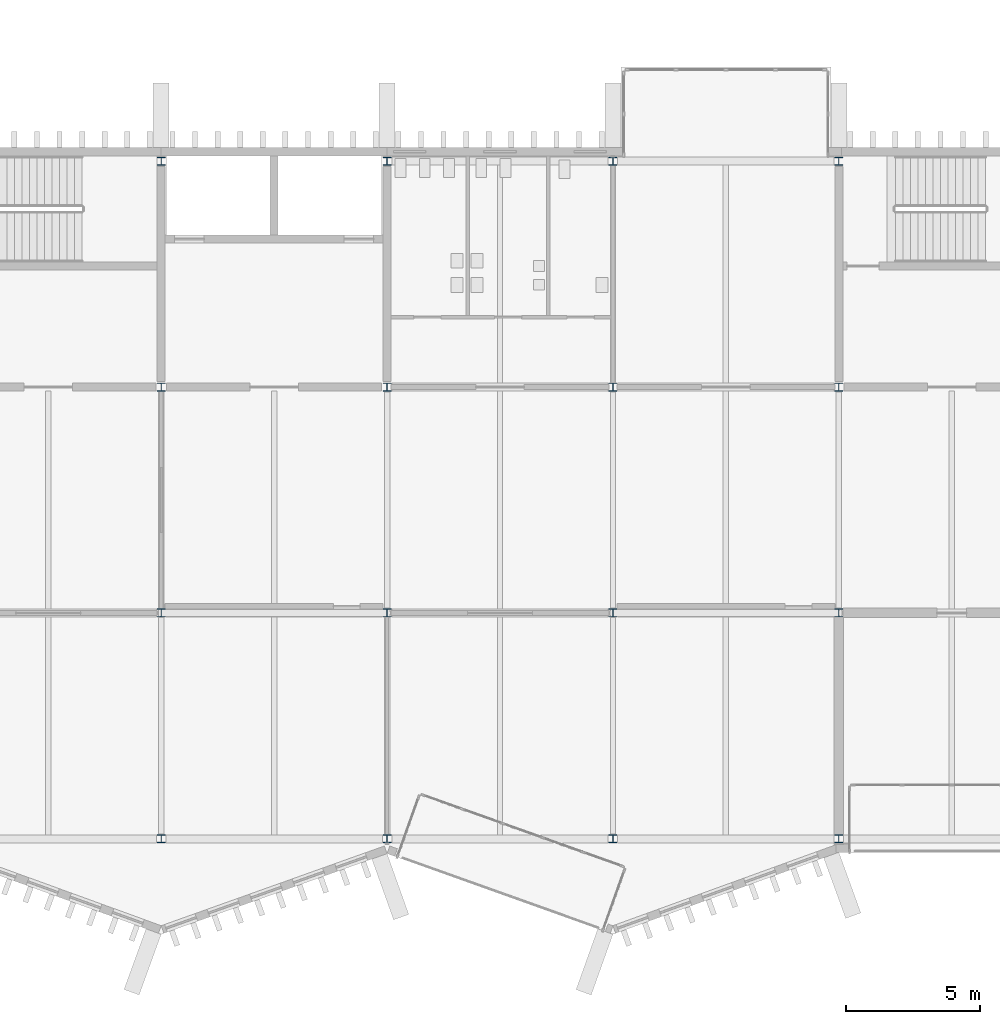
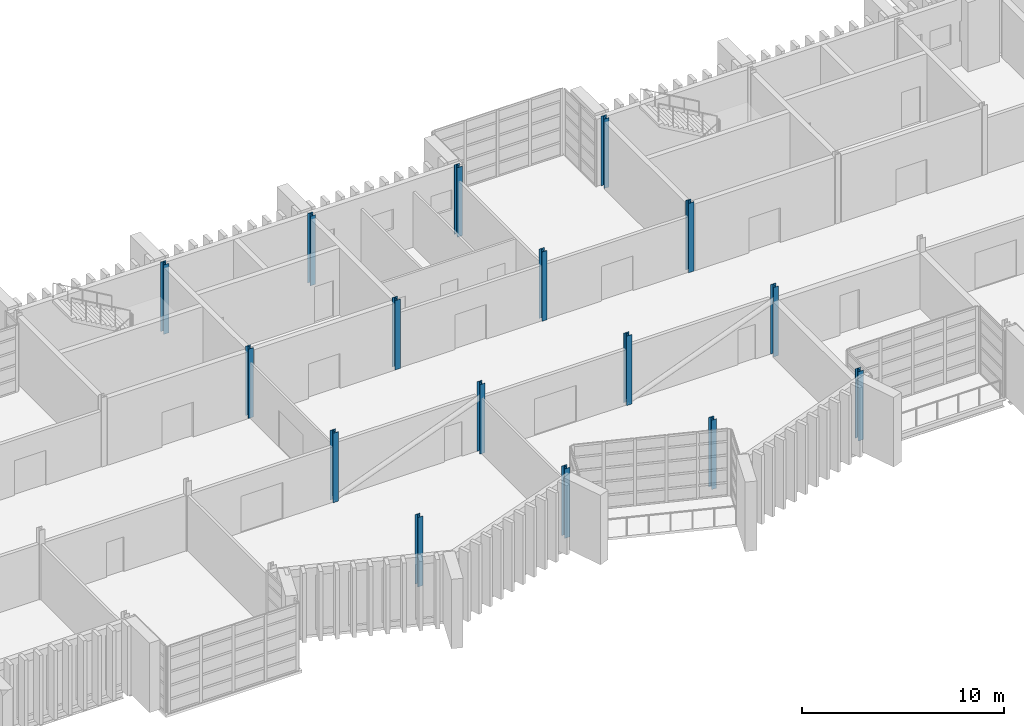
# One storey, part 5 of 100: 16 columns.
"""IFC4 building model written with IfcOpenShell, lengths in metres."""

from ifc_helpers import new_model, si_unit, direction, frame, origin, origin_2d, place, context, subcontext, project, spatial, i_section, extrude, material, material_profile, profile_set, type_object, element, save


model = new_model("IFC4")

# Units and contexts
model_context = context("Model", 3, precision=1e-05, world=origin(), true_north=direction((0.0, 1.0)))
body_context = subcontext(model_context, "Body", "Model", "MODEL_VIEW")
ifc_project = project(units=[si_unit("LENGTHUNIT", "METRE"), si_unit("AREAUNIT", "SQUARE_METRE"), si_unit("VOLUMEUNIT", "CUBIC_METRE"), si_unit("PLANEANGLEUNIT", "RADIAN"), si_unit("MASSUNIT", "GRAM", prefix="KILO")], contexts=[model_context])

# Site, building, storey
site_placement = place(None, origin())
site = spatial("IfcSite", under=ifc_project, at=site_placement, CompositionType="ELEMENT")
building_placement = place(site_placement, origin())
building = spatial("IfcBuilding", under=site, at=building_placement, Name="Cresset Court Congress Hotel", CompositionType="ELEMENT")
storey_placement = place(building_placement, frame((0.0, 0.0, 10.199951171875)))
storey = spatial("IfcBuildingStorey", under=building, at=storey_placement, Name="L02", CompositionType="ELEMENT", Elevation=10.199951171875)

# Columns
ifc_material = material(Name="Structural steel Q355B", Category="steel")
ifc_material_profile = material_profile(ifc_material, i_section(OverallWidth=0.300048828125, OverallDepth=0.300048828125, WebThickness=0.010009765625, FlangeThickness=0.014892578125, FilletRadius=0.012939453125, at=origin_2d()), Name="HW300x300x10x15")
ifc_profile_set = profile_set([ifc_material_profile], Name="Structural steel Q355B")
column_type = type_object("IfcColumnType", Name="Steel column HW300x300x10x15", PredefinedType="COLUMN", material=ifc_profile_set)
for number, where, z_axis, x_axis, name in (
    (1, (109.199951171875, 0.0, 0.0), (0.0, 0.0, 1.0), (1.0, 0.0, 0.0), "B.col.L02.14A"),
    (2, (109.199951171875, 8.39990234375, 0.0), (0.0, 0.0, 1.0), (1.0, 0.0, 0.0), "B.col.L02.14B"),
    (3, (109.199951171875, 16.800048828125, 0.0), (0.0, 0.0, 1.0), (1.0, 0.0, 0.0), "B.col.L02.14C"),
    (4, (109.199951171875, 25.199951171875, 0.0), (0.0, 0.0, 1.0), (1.0, 0.0, 0.0), "B.col.L02.14D"),
    (5, (117.60009765625, 0.0, 0.0), (0.0, 0.0, 1.0), (1.0, 0.0, 0.0), "B.col.L02.15A"),
    (6, (117.60009765625, 8.39990234375, 0.0), (0.0, 0.0, 1.0), (1.0, 0.0, 0.0), "B.col.L02.15B"),
    (7, (117.60009765625, 16.800048828125, 0.0), (0.0, 0.0, 1.0), (1.0, 0.0, 0.0), "B.col.L02.15C"),
    (8, (117.60009765625, 25.199951171875, 0.0), (0.0, 0.0, 1.0), (1.0, 0.0, 0.0), "B.col.L02.15D"),
    (9, (126.0, 0.0, 0.0), (0.0, 0.0, 1.0), (1.0, 0.0, 0.0), "B.col.L02.16A"),
    (10, (126.0, 8.39990234375, 0.0), (0.0, 0.0, 1.0), (1.0, 0.0, 0.0), "B.col.L02.16B"),
    (11, (126.0, 16.800048828125, 0.0), (0.0, 0.0, 1.0), (1.0, 0.0, 0.0), "B.col.L02.16C"),
    (12, (126.0, 25.199951171875, 0.0), (0.0, 0.0, 1.0), (1.0, 0.0, 0.0), "B.col.L02.16D"),
    (13, (134.39990234375, 0.0, 0.0), (0.0, 0.0, 1.0), (1.0, 0.0, 0.0), "B.col.L02.17A"),
    (14, (134.39990234375, 8.39990234375, 0.0), (0.0, 0.0, 1.0), (1.0, 0.0, 0.0), "B.col.L02.17B"),
    (15, (134.39990234375, 16.800048828125, 0.0), (0.0, 0.0, 1.0), (1.0, 0.0, 0.0), "B.col.L02.17C"),
    (16, (134.39990234375, 25.199951171875, 0.0), (0.0, 0.0, 1.0), (1.0, 0.0, 0.0), "B.col.L02.17D"),
):
    element("IfcColumn", number, at=place(storey_placement, frame(where, z_axis=z_axis, x_axis=x_axis)), inside=storey, type_object=column_type, Name=name, PredefinedType="COLUMN", context=body_context, shape_type="SweptSolid", body=[
        extrude(i_section(OverallWidth=0.300048828125, OverallDepth=0.300048828125, WebThickness=0.010009765625, FlangeThickness=0.014892578125, FilletRadius=0.012939453125, at=origin_2d()), origin(), (0.0, 0.0, 1.0), 4.199951171875),
    ])

save(model, "model.ifc")
